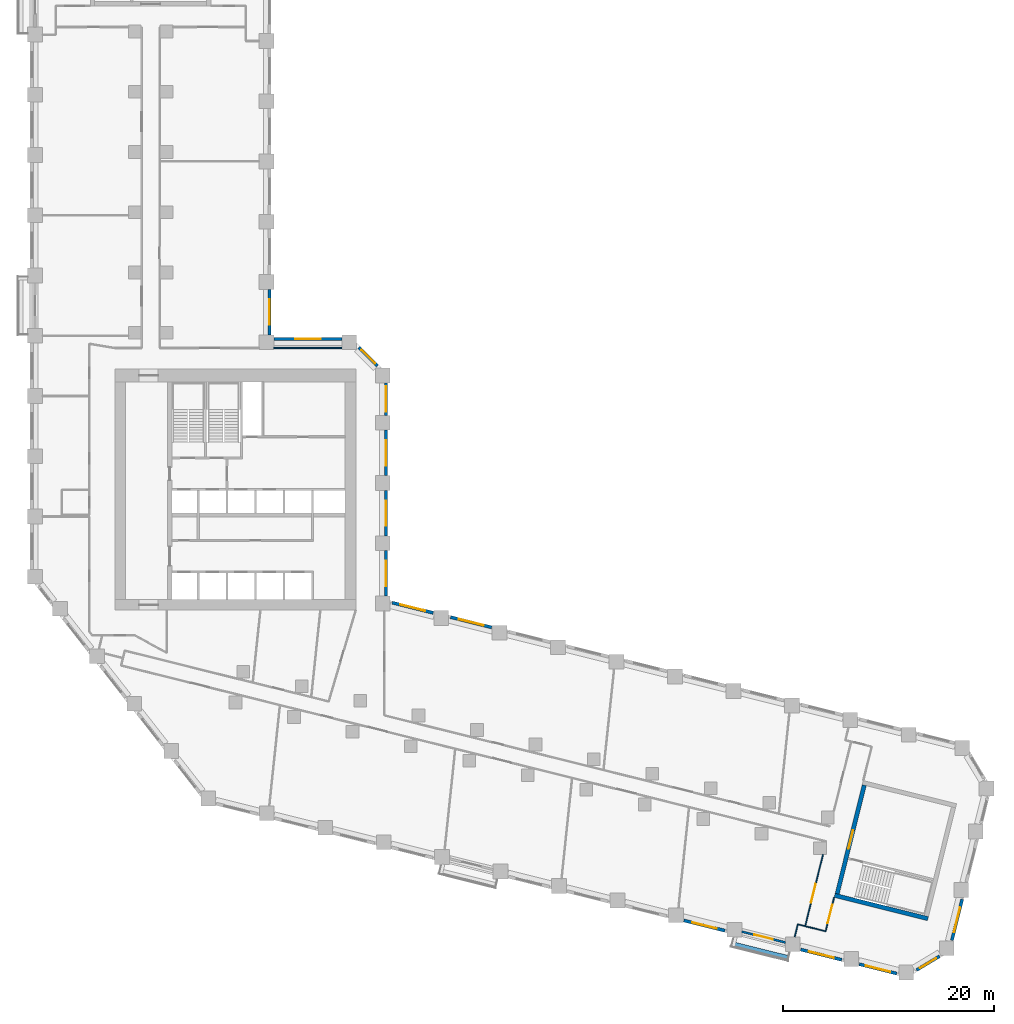
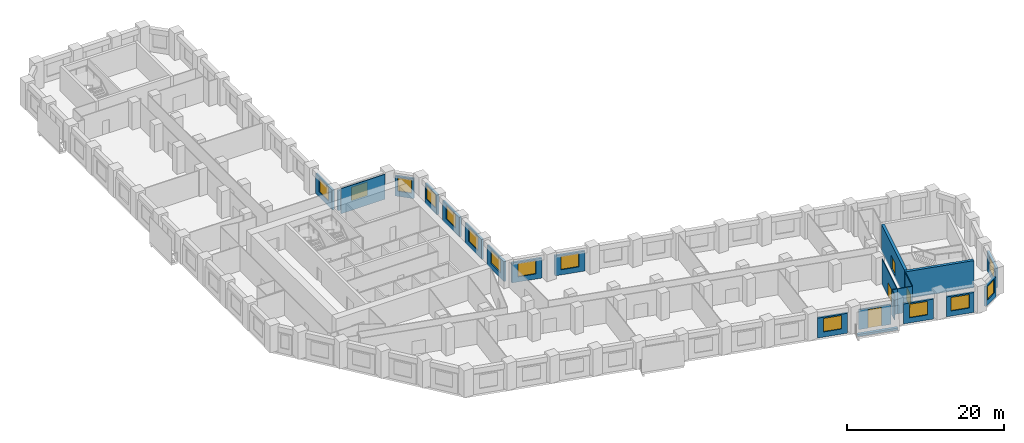
# One storey, part 6 of 11: 24 walls, 14 windows, 4 doors, 18 openings.
"""IFC4 building model written with IfcOpenShell, lengths in metres."""

import ifcopenshell
import ifcopenshell.guid

model = None  # the IFC model being written
_history = None  # IfcOwnerHistory: only IFC2X3 demands one
_inside = {}  # id of a spatial element -> (the spatial element, [elements in it])
_under = {}  # id of a project, library or spatial element -> (it, [spatial elements below it])
_declared = {}  # id of a project -> (the project, [libraries it declares])
_typed = {}  # id of a type object -> (the type object, [elements of that type])
_made_of = {}  # id of a material, layer set ... -> (it, [elements and type objects made of it])


def new_model(schema):
    """Start an empty IFC model of exactly this schema.

    Asked for "IFC4X3", IfcOpenShell would pick the latest addendum, in which some entities
    have other attributes; the version numbers below select the first issue.
    IFC2X3 requires an IfcOwnerHistory on every rooted entity: one is made here for all.
    """
    global model, _history
    if schema == "IFC4X3":
        model = ifcopenshell.file(schema_version=(4, 3, 0, 0))
    else:
        model = ifcopenshell.file(schema=schema)
    _inside.clear()
    _under.clear()
    _declared.clear()
    _typed.clear()
    _made_of.clear()
    _history = None
    if model.schema == "IFC2X3":
        org = make("IfcOrganization", Name="unknown")
        user = make(
            "IfcPersonAndOrganization",
            ThePerson=make("IfcPerson", FamilyName="unknown"),
            TheOrganization=org,
        )
        app = make(
            "IfcApplication",
            ApplicationDeveloper=org,
            Version="unknown",
            ApplicationFullName="unknown",
            ApplicationIdentifier="unknown",
        )
        _history = make(
            "IfcOwnerHistory",
            OwningUser=user,
            OwningApplication=app,
            ChangeAction="ADDED",
            CreationDate=0,
        )
    return model


def make(cls, **values):
    """One entity of the class cls with the attributes given. An attribute that is None is left unset."""
    return model.create_entity(
        cls, **{name: value for name, value in values.items() if value is not None}
    )


def rooted(cls, **values):
    """An entity with a GlobalId (a new one), such as an element, a storey or a relation."""
    return make(cls, GlobalId=ifcopenshell.guid.new(), OwnerHistory=_history, **values)


def si_unit(unit_type, name, prefix=None):
    """IfcSIUnit, for example si_unit("LENGTHUNIT", "METRE", prefix="MILLI")."""
    return make("IfcSIUnit", UnitType=unit_type, Prefix=prefix, Name=name)


def assignment(units):
    """IfcUnitAssignment: the units of a project."""
    return None if units is None else make("IfcUnitAssignment", Units=units)


def point(xyz):
    """IfcCartesianPoint."""
    return None if xyz is None else make("IfcCartesianPoint", Coordinates=xyz)


def direction(xyz):
    """IfcDirection."""
    return None if xyz is None else make("IfcDirection", DirectionRatios=xyz)


def frame(location, z_axis=None, x_axis=None):
    """IfcAxis2Placement3D, a coordinate frame: its origin and axes. An axis left out is left unset."""
    return make(
        "IfcAxis2Placement3D",
        Location=point(location),
        Axis=direction(z_axis),
        RefDirection=direction(x_axis),
    )


def frame_2d(location, x_axis=None):
    """IfcAxis2Placement2D, a coordinate frame in the plane: its origin and x axis."""
    return make(
        "IfcAxis2Placement2D", Location=point(location), RefDirection=direction(x_axis)
    )


def origin():
    """The frame at (0, 0, 0) with its axes left unset."""
    return frame((0.0, 0.0, 0.0))


def place(relative_to, where):
    """IfcLocalPlacement: puts the frame where relative to a parent placement (None: the world)."""
    return make(
        "IfcLocalPlacement", PlacementRelTo=relative_to, RelativePlacement=where
    )


def context(
    kind, dimensions, precision=None, world=None, true_north=None, identifier=None
):
    """IfcGeometricRepresentationContext, for example the 3D "Model" context."""
    return make(
        "IfcGeometricRepresentationContext",
        ContextIdentifier=identifier,
        ContextType=kind,
        CoordinateSpaceDimension=dimensions,
        Precision=precision,
        WorldCoordinateSystem=world,
        TrueNorth=true_north,
    )


def subcontext(parent, identifier, kind, view, scale=None):
    """IfcGeometricRepresentationSubContext, for example "Body" below "Model"."""
    return make(
        "IfcGeometricRepresentationSubContext",
        ContextIdentifier=identifier,
        ContextType=kind,
        ParentContext=parent,
        TargetScale=scale,
        TargetView=view,
    )


def project(units=None, contexts=None):
    """IfcProject with its units and contexts."""
    return rooted(
        "IfcProject",
        Name="project",
        RepresentationContexts=contexts,
        UnitsInContext=assignment(units),
    )


def spatial(cls, under=None, at=None, **own):
    """A site, building, storey or space (cls), placed at a placement, below another one or the project."""
    s = rooted(cls, ObjectPlacement=at, **own)
    if under is not None:
        _under.setdefault(under.id(), (under, []))[1].append(s)
    return s


def profile(cls, at=None, kind="AREA", **sizes):
    """A parametric profile (cls). Its sizes go by their IFC names, for example OverallWidth=200.0."""
    return make(cls, ProfileType=kind, Position=at, **sizes)


def rectangle(**sizes):
    """IfcRectangleProfileDef."""
    return profile("IfcRectangleProfileDef", **sizes)


def extrude(swept, where, along, depth):
    """IfcExtrudedAreaSolid: the profile swept, set in the frame where, extruded along a direction by depth."""
    return make(
        "IfcExtrudedAreaSolid",
        SweptArea=swept,
        Position=where,
        ExtrudedDirection=direction(along),
        Depth=depth,
    )


def shape(context_of_items, identifier, shape_type, items):
    """IfcShapeRepresentation: the items that make up one representation, for example the "Body"."""
    return make(
        "IfcShapeRepresentation",
        ContextOfItems=context_of_items,
        RepresentationIdentifier=identifier,
        RepresentationType=shape_type,
        Items=items,
    )


def material(Name=None, Category=None):
    """IfcMaterial."""
    return make("IfcMaterial", Name=Name, Category=Category)


def layer(
    of_material, thickness, ventilated=None, Name=None, Category=None, Priority=None
):
    """IfcMaterialLayer: one layer of a wall or slab, of a material (None: an air gap)."""
    return make(
        "IfcMaterialLayer",
        Material=of_material,
        LayerThickness=thickness,
        IsVentilated=ventilated,
        Name=Name,
        Category=Category,
        Priority=Priority,
    )


def layer_set(layers, Name=None):
    """IfcMaterialLayerSet."""
    return make("IfcMaterialLayerSet", MaterialLayers=layers, LayerSetName=Name)


def made_of(thing, what):
    """Note that an element or type object is made of a material, layer set ...; save() writes the relation."""
    if what is not None:
        _made_of.setdefault(what.id(), (what, []))[1].append(thing)
    return thing


def type_object(cls, material=None, **own):
    """A type object (cls), such as IfcWallType, which elements share."""
    return made_of(rooted(cls, **own), material)


def element(
    cls,
    number,
    at=None,
    inside=None,
    cuts=None,
    type_object=None,
    material=None,
    context=None,
    identifier="Body",
    shape_type=None,
    held_by="IfcProductDefinitionShape",
    body=None,
    shapes=None,
    **own,
):
    """One element of the class cls, such as IfcWall. Its Tag is "e" and its number.

    at: its placement. inside: the storey or other place that contains it. cuts: it is an
    opening in that element (IfcRelVoidsElement). A single representation is given by context,
    identifier, shape_type and body (its items); several are given by shapes. held_by: the class
    of the entity that holds the representations. save() writes the other relations.
    """
    e = rooted(cls, Tag="e%d" % number, ObjectPlacement=at, **own)
    if body is not None:
        shapes = [shape(context, identifier, shape_type, body)]
    if shapes is not None:
        e.Representation = make(held_by, Representations=shapes)
    if inside is not None:
        _inside.setdefault(inside.id(), (inside, []))[1].append(e)
    if cuts is not None:
        rooted(
            "IfcRelVoidsElement", RelatingBuildingElement=cuts, RelatedOpeningElement=e
        )
    if type_object is not None:
        _typed.setdefault(type_object.id(), (type_object, []))[1].append(e)
    return made_of(e, material)


def fill(opening, filler):
    """IfcRelFillsElement: the door or window that sits in an opening."""
    return rooted(
        "IfcRelFillsElement",
        RelatingOpeningElement=opening,
        RelatedBuildingElement=filler,
    )


def aggregate(whole, parts):
    """IfcRelAggregates: a whole, such as a stair, and the parts it consists of."""
    return rooted("IfcRelAggregates", RelatingObject=whole, RelatedObjects=parts)


def save(model, path):
    """Write the relations noted so far, then the file.

    IfcRelAggregates (storeys below a building ...), IfcRelContainedInSpatialStructure (elements
    in a storey), IfcRelDefinesByType, IfcRelAssociatesMaterial and IfcRelDeclares: one each for
    every whole, place, type object, material and project.
    """
    for whole, parts in _under.values():
        aggregate(whole, parts)
    for where, things in _inside.values():
        rooted(
            "IfcRelContainedInSpatialStructure",
            RelatedElements=things,
            RelatingStructure=where,
        )
    for kind, things in _typed.values():
        rooted("IfcRelDefinesByType", RelatedObjects=things, RelatingType=kind)
    for what, things in _made_of.values():
        rooted("IfcRelAssociatesMaterial", RelatedObjects=things, RelatingMaterial=what)
    for by, libraries in _declared.values():
        rooted("IfcRelDeclares", RelatingContext=by, RelatedDefinitions=libraries)
    model.write(path)


model = new_model("IFC4")

# Units and contexts
model_context = context("Model", 3, precision=1e-05, world=origin(), true_north=direction((0.0, 1.0)))
body_context = subcontext(model_context, "Body", "Model", "MODEL_VIEW")
ifc_project = project(units=[si_unit("LENGTHUNIT", "METRE"), si_unit("AREAUNIT", "SQUARE_METRE"), si_unit("VOLUMEUNIT", "CUBIC_METRE"), si_unit("PLANEANGLEUNIT", "RADIAN"), si_unit("MASSUNIT", "GRAM", prefix="KILO")], contexts=[model_context])

# Site, building, storey
site_placement = place(None, origin())
site = spatial("IfcSite", under=ifc_project, at=site_placement, CompositionType="ELEMENT")
building_placement = place(site_placement, origin())
building = spatial("IfcBuilding", under=site, at=building_placement, Name="Meshkara Civic Tower", CompositionType="ELEMENT")
storey_placement = place(building_placement, frame((0.0, 0.0, 54.0)))
storey = spatial("IfcBuildingStorey", under=building, at=storey_placement, Name="L11", CompositionType="ELEMENT", Elevation=54.0)

# Walls
ifc_material_1 = material(Name="Corridor wall 100")
ifc_layer_1 = layer(ifc_material_1, 0.10009765625)
ifc_layer_set_1 = layer_set([ifc_layer_1], Name="Corridor wall 100")
wall_type_1 = type_object("IfcWallType", Name="Corridor wall 100", PredefinedType="PARTITIONING", material=ifc_layer_set_1)
wall_1_placement = place(storey_placement, frame((29.493896484375, 38.89990234375, 0.0), z_axis=(0.0, 0.0, 1.0), x_axis=(-1.0, 0.0, 0.0)))
element("IfcWall", 1, at=wall_1_placement, inside=storey, type_object=wall_type_1, Name="L11-W021", PredefinedType="PARTITIONING", context=body_context, shape_type="SweptSolid", body=[
    extrude(rectangle(XDim=6.44384765625, YDim=0.10009765625, at=frame_2d((3.221923828125, 0.0))), origin(), (0.0, 0.0, 1.0), 3.89990234375),
])
wall_2_placement = place(storey_placement, frame((73.323974609375, -15.80810546875, 0.0), z_axis=(0.0, 0.0, 1.0), x_axis=(0.970271653322, -0.242018426489, 0.0)))
element("IfcWall", 2, at=wall_2_placement, inside=storey, type_object=wall_type_1, Name="L11-W025", PredefinedType="PARTITIONING", context=body_context, shape_type="SweptSolid", body=[
    extrude(rectangle(XDim=1.999267578125, YDim=0.10009765625, at=frame_2d((0.99951171875, 0.0))), origin(), (0.0, 0.0, 1.0), 3.89990234375),
])

# Wall, opening, door
wall_3_placement = place(storey_placement, frame((75.013916015625, -9.029052734375, 0.0), z_axis=(0.0, 0.0, 1.0), x_axis=(-0.241886013589, -0.970304671961, 0.0)))
wall_3 = element("IfcWall", 3, at=wall_3_placement, inside=storey, type_object=wall_type_1, Name="L11-W026", PredefinedType="PARTITIONING", context=body_context, shape_type="SweptSolid", body=[
    extrude(rectangle(XDim=6.986572265625, YDim=0.10009765625, at=frame_2d((3.4931640625, 0.0))), origin(), (0.0, 0.0, 1.0), 3.89990234375),
])
opening_1_placement = place(wall_3_placement, frame((2.8798828125, 0.0, 0.0)))
opening_1 = element("IfcOpeningElement", 4, at=opening_1_placement, cuts=wall_3, Name="Opening L11-D001", PredefinedType="OPENING", context=body_context, shape_type="SweptSolid", body=[
    extrude(rectangle(XDim=1.800048828125, YDim=2.10009765625, at=frame_2d((0.89990234375, 1.050048828125))), frame((0.0, 0.06005859375, 0.0), z_axis=(0.0, -1.0, 0.0), x_axis=(1.0, 0.0, 0.0)), (0.0, 0.0, 1.0), 0.1201171875),
])
ifc_material_2 = material(Name="Door pair 1800 x 2100")
door_type_1 = type_object("IfcDoorType", Name="Door pair 1800 x 2100", OperationType="SINGLE_SWING_LEFT", PredefinedType="DOOR", material=ifc_material_2)
door_1_placement = place(opening_1_placement, origin())
door_1 = element("IfcDoor", 5, at=door_1_placement, inside=storey, type_object=door_type_1, Name="L11-D001", OperationType="DOUBLE_DOOR_SINGLE_SWING", OverallHeight=2.10009765625, OverallWidth=1.800048828125, PredefinedType="DOOR", context=body_context, shape_type="SweptSolid", body=[
    extrude(rectangle(XDim=1.800048828125, YDim=2.10009765625, at=frame_2d((0.89990234375, 1.050048828125))), frame((0.0, 0.02490234375, 0.0), z_axis=(0.0, -1.0, 0.0), x_axis=(1.0, 0.0, 0.0)), (0.0, 0.0, 1.0), 0.050048828125),
])
fill(opening_1, door_1)

wall_4_placement = place(storey_placement, frame((75.263916015625, -16.2919921875, 0.0), z_axis=(0.0, 0.0, 1.0), x_axis=(0.242135244173, 0.970242507587, 0.0)))
wall_4 = element("IfcWall", 6, at=wall_4_placement, inside=storey, type_object=wall_type_1, Name="L11-W027", PredefinedType="PARTITIONING", context=body_context, shape_type="SweptSolid", body=[
    extrude(rectangle(XDim=3.300048828125, YDim=0.10009765625, at=frame_2d((1.64990234375, 0.0))), origin(), (0.0, 0.0, 1.0), 3.89990234375),
])
opening_2_placement = place(wall_4_placement, frame((0.780029296875, 0.0, 0.0)))
opening_2 = element("IfcOpeningElement", 7, at=opening_2_placement, cuts=wall_4, Name="Opening L11-D002", PredefinedType="OPENING", context=body_context, shape_type="SweptSolid", body=[
    extrude(rectangle(XDim=1.800048828125, YDim=2.10009765625, at=frame_2d((0.89990234375, 1.050048828125))), frame((0.0, 0.06005859375, 0.0), z_axis=(0.0, -1.0, 0.0), x_axis=(1.0, 0.0, 0.0)), (0.0, 0.0, 1.0), 0.1201171875),
])
door_2_placement = place(opening_2_placement, origin())
door_2 = element("IfcDoor", 8, at=door_2_placement, inside=storey, type_object=door_type_1, Name="L11-D002", OperationType="DOUBLE_DOOR_SINGLE_SWING", OverallHeight=2.10009765625, OverallWidth=1.800048828125, PredefinedType="DOOR", context=body_context, shape_type="SweptSolid", body=[
    extrude(rectangle(XDim=1.800048828125, YDim=2.10009765625, at=frame_2d((0.89990234375, 1.050048828125))), frame((0.0, 0.02490234375, 0.0), z_axis=(0.0, -1.0, 0.0), x_axis=(1.0, 0.0, 0.0)), (0.0, 0.0, 1.0), 0.050048828125),
])
fill(opening_2, door_2)

# Wall, opening, window
ifc_material_3 = material(Name="Insulated infill panel with bronze anodised aluminium cladding", Category="aluminium")
ifc_layer_2 = layer(ifc_material_3, 0.300048828125)
ifc_layer_set_2 = layer_set([ifc_layer_2], Name="EXTERNAL INFILL WALL 300")
wall_type_2 = type_object("IfcWallType", Name="EXTERNAL INFILL WALL 300", PredefinedType="SOLIDWALL", material=ifc_layer_set_2)
wall_5_placement = place(storey_placement, frame((43.659912109375, 12.4580078125, 0.0), z_axis=(0.0, 0.0, 1.0), x_axis=(-0.970300202301, 0.241903942538, 0.0)))
wall_5 = element("IfcWall", 9, at=wall_5_placement, inside=storey, type_object=wall_type_2, Name="External wall", PredefinedType="SOLIDWALL", context=body_context, shape_type="SweptSolid", body=[
    extrude(rectangle(XDim=4.001708984375, YDim=0.300048828125, at=frame_2d((2.0009765625, 0.0))), origin(), (0.0, 0.0, 1.0), 3.10009765625),
])
opening_3_placement = place(wall_5_placement, frame((0.801025390625, 0.0, 0.800048828125)))
opening_3 = element("IfcOpeningElement", 10, at=opening_3_placement, cuts=wall_5, Name="Opening W7", PredefinedType="OPENING", context=body_context, shape_type="SweptSolid", body=[
    extrude(rectangle(XDim=2.39990234375, YDim=2.10009765625, at=frame_2d((1.199951171875, 1.050048828125))), frame((0.0, 0.159912109375, 0.0), z_axis=(0.0, -1.0, 0.0), x_axis=(1.0, 0.0, 0.0)), (0.0, 0.0, 1.0), 0.320068359375),
])
ifc_material_4 = material(Name="Tinted double glazing", Category="glass")
window_type_1 = type_object("IfcWindowType", Name="WINDOW 2400x2100", PartitioningType="DOUBLE_PANEL_VERTICAL", PredefinedType="WINDOW", material=ifc_material_4)
window_1_placement = place(opening_3_placement, origin())
window_1 = element("IfcWindow", 11, at=window_1_placement, inside=storey, type_object=window_type_1, Name="Window", OverallHeight=2.10009765625, OverallWidth=2.39990234375, PartitioningType="DOUBLE_PANEL_VERTICAL", PredefinedType="WINDOW", context=body_context, shape_type="SweptSolid", body=[
    extrude(rectangle(XDim=2.39990234375, YDim=2.10009765625, at=frame_2d((1.199951171875, 1.050048828125))), frame((0.0, 0.030029296875, 0.0), z_axis=(0.0, -1.0, 0.0), x_axis=(1.0, 0.0, 0.0)), (0.0, 0.0, 1.0), 0.06005859375),
])
fill(opening_3, window_1)

wall_6_placement = place(storey_placement, frame((38.1298828125, 13.8369140625, 0.0), z_axis=(0.0, 0.0, 1.0), x_axis=(-0.970314477803, 0.241846674911, 0.0)))
wall_6 = element("IfcWall", 12, at=wall_6_placement, inside=storey, type_object=wall_type_2, Name="External wall", PredefinedType="SOLIDWALL", context=body_context, shape_type="SweptSolid", body=[
    extrude(rectangle(XDim=4.002685546875, YDim=0.300048828125, at=frame_2d((2.00146484375, 0.0))), origin(), (0.0, 0.0, 1.0), 3.10009765625),
])
opening_4_placement = place(wall_6_placement, frame((0.802001953125, 0.0, 0.800048828125)))
opening_4 = element("IfcOpeningElement", 13, at=opening_4_placement, cuts=wall_6, Name="Opening W7", PredefinedType="OPENING", context=body_context, shape_type="SweptSolid", body=[
    extrude(rectangle(XDim=2.39990234375, YDim=2.10009765625, at=frame_2d((1.199951171875, 1.050048828125))), frame((0.0, 0.159912109375, 0.0), z_axis=(0.0, -1.0, 0.0), x_axis=(1.0, 0.0, 0.0)), (0.0, 0.0, 1.0), 0.320068359375),
])
window_2_placement = place(opening_4_placement, origin())
window_2 = element("IfcWindow", 14, at=window_2_placement, inside=storey, type_object=window_type_1, Name="Window", OverallHeight=2.10009765625, OverallWidth=2.39990234375, PartitioningType="DOUBLE_PANEL_VERTICAL", PredefinedType="WINDOW", context=body_context, shape_type="SweptSolid", body=[
    extrude(rectangle(XDim=2.39990234375, YDim=2.10009765625, at=frame_2d((1.199951171875, 1.050048828125))), frame((0.0, 0.030029296875, 0.0), z_axis=(0.0, -1.0, 0.0), x_axis=(1.0, 0.0, 0.0)), (0.0, 0.0, 1.0), 0.06005859375),
])
fill(opening_4, window_2)

wall_7_placement = place(storey_placement, frame((33.64990234375, 15.4189453125, 0.0), z_axis=(0.0, 0.0, 1.0), x_axis=(0.0, 1.0, 0.0)))
wall_7 = element("IfcWall", 15, at=wall_7_placement, inside=storey, type_object=wall_type_2, Name="External wall", PredefinedType="SOLIDWALL", context=body_context, shape_type="SweptSolid", body=[
    extrude(rectangle(XDim=4.300048828125, YDim=0.300048828125, at=frame_2d((2.14990234375, 0.0))), origin(), (0.0, 0.0, 1.0), 3.10009765625),
])
opening_5_placement = place(wall_7_placement, frame((0.949951171875, 0.0, 0.800048828125)))
opening_5 = element("IfcOpeningElement", 16, at=opening_5_placement, cuts=wall_7, Name="Opening W7", PredefinedType="OPENING", context=body_context, shape_type="SweptSolid", body=[
    extrude(rectangle(XDim=2.39990234375, YDim=2.10009765625, at=frame_2d((1.199951171875, 1.050048828125))), frame((0.0, 0.159912109375, 0.0), z_axis=(0.0, -1.0, 0.0), x_axis=(1.0, 0.0, 0.0)), (0.0, 0.0, 1.0), 0.320068359375),
])
window_3_placement = place(opening_5_placement, origin())
window_3 = element("IfcWindow", 17, at=window_3_placement, inside=storey, type_object=window_type_1, Name="Window", OverallHeight=2.10009765625, OverallWidth=2.39990234375, PartitioningType="DOUBLE_PANEL_VERTICAL", PredefinedType="WINDOW", context=body_context, shape_type="SweptSolid", body=[
    extrude(rectangle(XDim=2.39990234375, YDim=2.10009765625, at=frame_2d((1.199951171875, 1.050048828125))), frame((0.0, 0.030029296875, 0.0), z_axis=(0.0, -1.0, 0.0), x_axis=(1.0, 0.0, 0.0)), (0.0, 0.0, 1.0), 0.06005859375),
])
fill(opening_5, window_3)

wall_8_placement = place(storey_placement, frame((33.64990234375, 21.118896484375, 0.0), z_axis=(0.0, 0.0, 1.0), x_axis=(0.0, 1.0, 0.0)))
wall_8 = element("IfcWall", 18, at=wall_8_placement, inside=storey, type_object=wall_type_2, Name="External wall", PredefinedType="SOLIDWALL", context=body_context, shape_type="SweptSolid", body=[
    extrude(rectangle(XDim=4.300048828125, YDim=0.300048828125, at=frame_2d((2.14990234375, 0.0))), origin(), (0.0, 0.0, 1.0), 3.10009765625),
])
opening_6_placement = place(wall_8_placement, frame((0.949951171875, 0.0, 0.800048828125)))
opening_6 = element("IfcOpeningElement", 19, at=opening_6_placement, cuts=wall_8, Name="Opening W7", PredefinedType="OPENING", context=body_context, shape_type="SweptSolid", body=[
    extrude(rectangle(XDim=2.39990234375, YDim=2.10009765625, at=frame_2d((1.199951171875, 1.050048828125))), frame((0.0, 0.159912109375, 0.0), z_axis=(0.0, -1.0, 0.0), x_axis=(1.0, 0.0, 0.0)), (0.0, 0.0, 1.0), 0.320068359375),
])
window_4_placement = place(opening_6_placement, origin())
window_4 = element("IfcWindow", 20, at=window_4_placement, inside=storey, type_object=window_type_1, Name="Window", OverallHeight=2.10009765625, OverallWidth=2.39990234375, PartitioningType="DOUBLE_PANEL_VERTICAL", PredefinedType="WINDOW", context=body_context, shape_type="SweptSolid", body=[
    extrude(rectangle(XDim=2.39990234375, YDim=2.10009765625, at=frame_2d((1.199951171875, 1.050048828125))), frame((0.0, 0.030029296875, 0.0), z_axis=(0.0, -1.0, 0.0), x_axis=(1.0, 0.0, 0.0)), (0.0, 0.0, 1.0), 0.06005859375),
])
fill(opening_6, window_4)

wall_9_placement = place(storey_placement, frame((33.64990234375, 26.819091796875, 0.0), z_axis=(0.0, 0.0, 1.0), x_axis=(0.0, 1.0, 0.0)))
wall_9 = element("IfcWall", 21, at=wall_9_placement, inside=storey, type_object=wall_type_2, Name="External wall", PredefinedType="SOLIDWALL", context=body_context, shape_type="SweptSolid", body=[
    extrude(rectangle(XDim=4.2998046875, YDim=0.300048828125, at=frame_2d((2.14990234375, 0.0))), origin(), (0.0, 0.0, 1.0), 3.10009765625),
])
opening_7_placement = place(wall_9_placement, frame((0.949951171875, 0.0, 0.800048828125)))
opening_7 = element("IfcOpeningElement", 22, at=opening_7_placement, cuts=wall_9, Name="Opening W7", PredefinedType="OPENING", context=body_context, shape_type="SweptSolid", body=[
    extrude(rectangle(XDim=2.39990234375, YDim=2.10009765625, at=frame_2d((1.199951171875, 1.050048828125))), frame((0.0, 0.159912109375, 0.0), z_axis=(0.0, -1.0, 0.0), x_axis=(1.0, 0.0, 0.0)), (0.0, 0.0, 1.0), 0.320068359375),
])
window_5_placement = place(opening_7_placement, origin())
window_5 = element("IfcWindow", 23, at=window_5_placement, inside=storey, type_object=window_type_1, Name="Window", OverallHeight=2.10009765625, OverallWidth=2.39990234375, PartitioningType="DOUBLE_PANEL_VERTICAL", PredefinedType="WINDOW", context=body_context, shape_type="SweptSolid", body=[
    extrude(rectangle(XDim=2.39990234375, YDim=2.10009765625, at=frame_2d((1.199951171875, 1.050048828125))), frame((0.0, 0.030029296875, 0.0), z_axis=(0.0, -1.0, 0.0), x_axis=(1.0, 0.0, 0.0)), (0.0, 0.0, 1.0), 0.06005859375),
])
fill(opening_7, window_5)

wall_10_placement = place(storey_placement, frame((33.64990234375, 32.51904296875, 0.0), z_axis=(0.0, 0.0, 1.0), x_axis=(0.0, 1.0, 0.0)))
wall_10 = element("IfcWall", 24, at=wall_10_placement, inside=storey, type_object=wall_type_2, Name="External wall", PredefinedType="SOLIDWALL", context=body_context, shape_type="SweptSolid", body=[
    extrude(rectangle(XDim=3.074951171875, YDim=0.300048828125, at=frame_2d((1.53759765625, 0.0))), origin(), (0.0, 0.0, 1.0), 3.10009765625),
])
opening_8_placement = place(wall_10_placement, frame((0.337890625, 0.0, 0.800048828125)))
opening_8 = element("IfcOpeningElement", 25, at=opening_8_placement, cuts=wall_10, Name="Opening W7", PredefinedType="OPENING", context=body_context, shape_type="SweptSolid", body=[
    extrude(rectangle(XDim=2.39990234375, YDim=2.10009765625, at=frame_2d((1.199951171875, 1.050048828125))), frame((0.0, 0.159912109375, 0.0), z_axis=(0.0, -1.0, 0.0), x_axis=(1.0, 0.0, 0.0)), (0.0, 0.0, 1.0), 0.320068359375),
])
window_6_placement = place(opening_8_placement, origin())
window_6 = element("IfcWindow", 26, at=window_6_placement, inside=storey, type_object=window_type_1, Name="Window", OverallHeight=2.10009765625, OverallWidth=2.39990234375, PartitioningType="DOUBLE_PANEL_VERTICAL", PredefinedType="WINDOW", context=body_context, shape_type="SweptSolid", body=[
    extrude(rectangle(XDim=2.39990234375, YDim=2.10009765625, at=frame_2d((1.199951171875, 1.050048828125))), frame((0.0, 0.030029296875, 0.0), z_axis=(0.0, -1.0, 0.0), x_axis=(1.0, 0.0, 0.0)), (0.0, 0.0, 1.0), 0.06005859375),
])
fill(opening_8, window_6)

wall_11_placement = place(storey_placement, frame((32.862060546875, 37.2060546875, 0.0), z_axis=(0.0, 0.0, 1.0), x_axis=(-0.707155935319, 0.707057623637, 0.0)))
wall_11 = element("IfcWall", 27, at=wall_11_placement, inside=storey, type_object=wall_type_2, Name="External wall", PredefinedType="SOLIDWALL", context=body_context, shape_type="SweptSolid", body=[
    extrude(rectangle(XDim=2.4833984375, YDim=0.300048828125, at=frame_2d((1.24169921875, 0.0))), origin(), (0.0, 0.0, 1.0), 3.10009765625),
])
opening_9_placement = place(wall_11_placement, frame((0.342041015625, 0.0, 0.800048828125)))
opening_9 = element("IfcOpeningElement", 28, at=opening_9_placement, cuts=wall_11, Name="Opening W9", PredefinedType="OPENING", context=body_context, shape_type="SweptSolid", body=[
    extrude(rectangle(XDim=1.800048828125, YDim=2.10009765625, at=frame_2d((0.89990234375, 1.050048828125))), frame((0.0, 0.159912109375, 0.0), z_axis=(0.0, -1.0, 0.0), x_axis=(1.0, 0.0, 0.0)), (0.0, 0.0, 1.0), 0.320068359375),
])
ifc_material_5 = material(Name="Tinted double glazing", Category="glass")
window_type_2 = type_object("IfcWindowType", Name="WINDOW 1800x2100", PartitioningType="DOUBLE_PANEL_VERTICAL", PredefinedType="WINDOW", material=ifc_material_5)
window_7_placement = place(opening_9_placement, origin())
window_7 = element("IfcWindow", 29, at=window_7_placement, inside=storey, type_object=window_type_2, Name="Window", OverallHeight=2.10009765625, OverallWidth=1.800048828125, PartitioningType="DOUBLE_PANEL_VERTICAL", PredefinedType="WINDOW", context=body_context, shape_type="SweptSolid", body=[
    extrude(rectangle(XDim=1.800048828125, YDim=2.10009765625, at=frame_2d((0.89990234375, 1.050048828125))), frame((0.0, 0.030029296875, 0.0), z_axis=(0.0, -1.0, 0.0), x_axis=(1.0, 0.0, 0.0)), (0.0, 0.0, 1.0), 0.06005859375),
])
fill(opening_9, window_7)

wall_12_placement = place(storey_placement, frame((29.493896484375, 39.75, 0.0), z_axis=(0.0, 0.0, 1.0), x_axis=(-1.0, 0.0, 0.0)))
wall_12 = element("IfcWall", 30, at=wall_12_placement, inside=storey, type_object=wall_type_2, Name="External wall", PredefinedType="SOLIDWALL", context=body_context, shape_type="SweptSolid", body=[
    extrude(rectangle(XDim=6.44384765625, YDim=0.300048828125, at=frame_2d((3.221923828125, 0.0))), origin(), (0.0, 0.0, 1.0), 3.10009765625),
])
opening_10_placement = place(wall_12_placement, frame((2.02197265625, 0.0, 0.800048828125)))
opening_10 = element("IfcOpeningElement", 31, at=opening_10_placement, cuts=wall_12, Name="Opening W7", PredefinedType="OPENING", context=body_context, shape_type="SweptSolid", body=[
    extrude(rectangle(XDim=2.39990234375, YDim=2.10009765625, at=frame_2d((1.199951171875, 1.050048828125))), frame((0.0, 0.159912109375, 0.0), z_axis=(0.0, -1.0, 0.0), x_axis=(1.0, 0.0, 0.0)), (0.0, 0.0, 1.0), 0.320068359375),
])
window_8_placement = place(opening_10_placement, origin())
window_8 = element("IfcWindow", 32, at=window_8_placement, inside=storey, type_object=window_type_1, Name="Window", OverallHeight=2.10009765625, OverallWidth=2.39990234375, PartitioningType="DOUBLE_PANEL_VERTICAL", PredefinedType="WINDOW", context=body_context, shape_type="SweptSolid", body=[
    extrude(rectangle(XDim=2.39990234375, YDim=2.10009765625, at=frame_2d((1.199951171875, 1.050048828125))), frame((0.0, 0.030029296875, 0.0), z_axis=(0.0, -1.0, 0.0), x_axis=(1.0, 0.0, 0.0)), (0.0, 0.0, 1.0), 0.06005859375),
])
fill(opening_10, window_8)

wall_13_placement = place(storey_placement, frame((22.64990234375, 40.14990234375, 0.0), z_axis=(0.0, 0.0, 1.0), x_axis=(0.0, 1.0, 0.0)))
wall_13 = element("IfcWall", 33, at=wall_13_placement, inside=storey, type_object=wall_type_2, Name="External wall", PredefinedType="SOLIDWALL", context=body_context, shape_type="SweptSolid", body=[
    extrude(rectangle(XDim=4.300048828125, YDim=0.300048828125, at=frame_2d((2.14990234375, 0.0))), origin(), (0.0, 0.0, 1.0), 3.10009765625),
])
opening_11_placement = place(wall_13_placement, frame((0.949951171875, 0.0, 0.800048828125)))
opening_11 = element("IfcOpeningElement", 34, at=opening_11_placement, cuts=wall_13, Name="Opening W7", PredefinedType="OPENING", context=body_context, shape_type="SweptSolid", body=[
    extrude(rectangle(XDim=2.39990234375, YDim=2.10009765625, at=frame_2d((1.199951171875, 1.050048828125))), frame((0.0, 0.159912109375, 0.0), z_axis=(0.0, -1.0, 0.0), x_axis=(1.0, 0.0, 0.0)), (0.0, 0.0, 1.0), 0.320068359375),
])
window_9_placement = place(opening_11_placement, origin())
window_9 = element("IfcWindow", 35, at=window_9_placement, inside=storey, type_object=window_type_1, Name="Window", OverallHeight=2.10009765625, OverallWidth=2.39990234375, PartitioningType="DOUBLE_PANEL_VERTICAL", PredefinedType="WINDOW", context=body_context, shape_type="SweptSolid", body=[
    extrude(rectangle(XDim=2.39990234375, YDim=2.10009765625, at=frame_2d((1.199951171875, 1.050048828125))), frame((0.0, 0.030029296875, 0.0), z_axis=(0.0, -1.0, 0.0), x_axis=(1.0, 0.0, 0.0)), (0.0, 0.0, 1.0), 0.06005859375),
])
fill(opening_11, window_9)

wall_14_placement = place(storey_placement, frame((61.847900390625, -15.26611328125, 0.0), z_axis=(0.0, 0.0, 1.0), x_axis=(0.970318089187, -0.241832185196, 0.0)))
wall_14 = element("IfcWall", 36, at=wall_14_placement, inside=storey, type_object=wall_type_2, Name="External wall", PredefinedType="SOLIDWALL", context=body_context, shape_type="SweptSolid", body=[
    extrude(rectangle(XDim=4.001953125, YDim=0.300048828125, at=frame_2d((2.0009765625, 0.0))), origin(), (0.0, 0.0, 1.0), 3.10009765625),
])
opening_12_placement = place(wall_14_placement, frame((0.801025390625, 0.0, 0.800048828125)))
opening_12 = element("IfcOpeningElement", 37, at=opening_12_placement, cuts=wall_14, Name="Opening W7", PredefinedType="OPENING", context=body_context, shape_type="SweptSolid", body=[
    extrude(rectangle(XDim=2.39990234375, YDim=2.10009765625, at=frame_2d((1.199951171875, 1.050048828125))), frame((0.0, 0.159912109375, 0.0), z_axis=(0.0, -1.0, 0.0), x_axis=(1.0, 0.0, 0.0)), (0.0, 0.0, 1.0), 0.320068359375),
])
window_10_placement = place(opening_12_placement, origin())
window_10 = element("IfcWindow", 38, at=window_10_placement, inside=storey, type_object=window_type_1, Name="Window", OverallHeight=2.10009765625, OverallWidth=2.39990234375, PartitioningType="DOUBLE_PANEL_VERTICAL", PredefinedType="WINDOW", context=body_context, shape_type="SweptSolid", body=[
    extrude(rectangle(XDim=2.39990234375, YDim=2.10009765625, at=frame_2d((1.199951171875, 1.050048828125))), frame((0.0, 0.030029296875, 0.0), z_axis=(0.0, -1.0, 0.0), x_axis=(1.0, 0.0, 0.0)), (0.0, 0.0, 1.0), 0.06005859375),
])
fill(opening_12, window_10)

wall_15_placement = place(storey_placement, frame((72.908935546875, -18.02294921875, 0.0), z_axis=(0.0, 0.0, 1.0), x_axis=(0.970260773365, -0.242062040951, 0.0)))
wall_15 = element("IfcWall", 39, at=wall_15_placement, inside=storey, type_object=wall_type_2, Name="External wall", PredefinedType="SOLIDWALL", context=body_context, shape_type="SweptSolid", body=[
    extrude(rectangle(XDim=4.003173828125, YDim=0.300048828125, at=frame_2d((2.00146484375, 0.0))), origin(), (0.0, 0.0, 1.0), 3.10009765625),
])
opening_13_placement = place(wall_15_placement, frame((0.802001953125, 0.0, 0.800048828125)))
opening_13 = element("IfcOpeningElement", 40, at=opening_13_placement, cuts=wall_15, Name="Opening W7", PredefinedType="OPENING", context=body_context, shape_type="SweptSolid", body=[
    extrude(rectangle(XDim=2.39990234375, YDim=2.10009765625, at=frame_2d((1.199951171875, 1.050048828125))), frame((0.0, 0.159912109375, 0.0), z_axis=(0.0, -1.0, 0.0), x_axis=(1.0, 0.0, 0.0)), (0.0, 0.0, 1.0), 0.320068359375),
])
window_11_placement = place(opening_13_placement, origin())
window_11 = element("IfcWindow", 41, at=window_11_placement, inside=storey, type_object=window_type_1, Name="Window", OverallHeight=2.10009765625, OverallWidth=2.39990234375, PartitioningType="DOUBLE_PANEL_VERTICAL", PredefinedType="WINDOW", context=body_context, shape_type="SweptSolid", body=[
    extrude(rectangle(XDim=2.39990234375, YDim=2.10009765625, at=frame_2d((1.199951171875, 1.050048828125))), frame((0.0, 0.030029296875, 0.0), z_axis=(0.0, -1.0, 0.0), x_axis=(1.0, 0.0, 0.0)), (0.0, 0.0, 1.0), 0.06005859375),
])
fill(opening_13, window_11)

wall_16_placement = place(storey_placement, frame((78.43994140625, -19.402099609375, 0.0), z_axis=(0.0, 0.0, 1.0), x_axis=(0.970271818873, -0.24201776278, 0.0)))
wall_16 = element("IfcWall", 42, at=wall_16_placement, inside=storey, type_object=wall_type_2, Name="External wall", PredefinedType="SOLIDWALL", context=body_context, shape_type="SweptSolid", body=[
    extrude(rectangle(XDim=3.660888671875, YDim=0.300048828125, at=frame_2d((1.83056640625, 0.0))), origin(), (0.0, 0.0, 1.0), 3.10009765625),
])
opening_14_placement = place(wall_16_placement, frame((0.6298828125, 0.0, 0.800048828125)))
opening_14 = element("IfcOpeningElement", 43, at=opening_14_placement, cuts=wall_16, Name="Opening W7", PredefinedType="OPENING", context=body_context, shape_type="SweptSolid", body=[
    extrude(rectangle(XDim=2.39990234375, YDim=2.10009765625, at=frame_2d((1.199951171875, 1.050048828125))), frame((0.0, 0.159912109375, 0.0), z_axis=(0.0, -1.0, 0.0), x_axis=(1.0, 0.0, 0.0)), (0.0, 0.0, 1.0), 0.320068359375),
])
window_12_placement = place(opening_14_placement, origin())
window_12 = element("IfcWindow", 44, at=window_12_placement, inside=storey, type_object=window_type_1, Name="Window", OverallHeight=2.10009765625, OverallWidth=2.39990234375, PartitioningType="DOUBLE_PANEL_VERTICAL", PredefinedType="WINDOW", context=body_context, shape_type="SweptSolid", body=[
    extrude(rectangle(XDim=2.39990234375, YDim=2.10009765625, at=frame_2d((1.199951171875, 1.050048828125))), frame((0.0, 0.030029296875, 0.0), z_axis=(0.0, -1.0, 0.0), x_axis=(1.0, 0.0, 0.0)), (0.0, 0.0, 1.0), 0.06005859375),
])
fill(opening_14, window_12)

wall_17_placement = place(storey_placement, frame((83.865966796875, -19.965087890625, 0.0), z_axis=(0.0, 0.0, 1.0), x_axis=(0.857026568426, 0.515272220299, 0.0)))
wall_17 = element("IfcWall", 45, at=wall_17_placement, inside=storey, type_object=wall_type_2, Name="External wall", PredefinedType="SOLIDWALL", context=body_context, shape_type="SweptSolid", body=[
    extrude(rectangle(XDim=2.54248046875, YDim=0.300048828125, at=frame_2d((1.271240234375, 0.0))), origin(), (0.0, 0.0, 1.0), 3.10009765625),
])
opening_15_placement = place(wall_17_placement, frame((0.37109375, 0.0, 0.800048828125)))
opening_15 = element("IfcOpeningElement", 46, at=opening_15_placement, cuts=wall_17, Name="Opening W9", PredefinedType="OPENING", context=body_context, shape_type="SweptSolid", body=[
    extrude(rectangle(XDim=1.800048828125, YDim=2.10009765625, at=frame_2d((0.89990234375, 1.050048828125))), frame((0.0, 0.159912109375, 0.0), z_axis=(0.0, -1.0, 0.0), x_axis=(1.0, 0.0, 0.0)), (0.0, 0.0, 1.0), 0.320068359375),
])
window_13_placement = place(opening_15_placement, origin())
window_13 = element("IfcWindow", 47, at=window_13_placement, inside=storey, type_object=window_type_2, Name="Window", OverallHeight=2.10009765625, OverallWidth=1.800048828125, PartitioningType="DOUBLE_PANEL_VERTICAL", PredefinedType="WINDOW", context=body_context, shape_type="SweptSolid", body=[
    extrude(rectangle(XDim=1.800048828125, YDim=2.10009765625, at=frame_2d((0.89990234375, 1.050048828125))), frame((0.0, 0.030029296875, 0.0), z_axis=(0.0, -1.0, 0.0), x_axis=(1.0, 0.0, 0.0)), (0.0, 0.0, 1.0), 0.06005859375),
])
fill(opening_15, window_13)

wall_18_placement = place(storey_placement, frame((87.2109375, -17.152099609375, 0.0), z_axis=(0.0, 0.0, 1.0), x_axis=(0.24183236211, 0.970318045095, 0.0)))
wall_18 = element("IfcWall", 48, at=wall_18_placement, inside=storey, type_object=wall_type_2, Name="External wall", PredefinedType="SOLIDWALL", context=body_context, shape_type="SweptSolid", body=[
    extrude(rectangle(XDim=4.0029296875, YDim=0.300048828125, at=frame_2d((2.00146484375, 0.0))), origin(), (0.0, 0.0, 1.0), 3.10009765625),
])
opening_16_placement = place(wall_18_placement, frame((0.802001953125, 0.0, 0.800048828125)))
opening_16 = element("IfcOpeningElement", 49, at=opening_16_placement, cuts=wall_18, Name="Opening W7", PredefinedType="OPENING", context=body_context, shape_type="SweptSolid", body=[
    extrude(rectangle(XDim=2.39990234375, YDim=2.10009765625, at=frame_2d((1.199951171875, 1.050048828125))), frame((0.0, 0.159912109375, 0.0), z_axis=(0.0, -1.0, 0.0), x_axis=(1.0, 0.0, 0.0)), (0.0, 0.0, 1.0), 0.320068359375),
])
window_14_placement = place(opening_16_placement, origin())
window_14 = element("IfcWindow", 50, at=window_14_placement, inside=storey, type_object=window_type_1, Name="Window", OverallHeight=2.10009765625, OverallWidth=2.39990234375, PartitioningType="DOUBLE_PANEL_VERTICAL", PredefinedType="WINDOW", context=body_context, shape_type="SweptSolid", body=[
    extrude(rectangle(XDim=2.39990234375, YDim=2.10009765625, at=frame_2d((1.199951171875, 1.050048828125))), frame((0.0, 0.030029296875, 0.0), z_axis=(0.0, -1.0, 0.0), x_axis=(1.0, 0.0, 0.0)), (0.0, 0.0, 1.0), 0.06005859375),
])
fill(opening_16, window_14)

# Wall
ifc_material_6 = material(Name="Concrete C80", Category="concrete")
ifc_layer_3 = layer(ifc_material_6, 0.39990234375)
ifc_layer_set_3 = layer_set([ifc_layer_3], Name="End core ring wall 400 C80")
wall_type_3 = type_object("IfcWallType", Name="End core ring wall 400 C80", PredefinedType="SHEAR", material=ifc_layer_set_3)
wall_19_placement = place(storey_placement, frame((76.111083984375, -12.89599609375, -0.300048828125), z_axis=(0.0, 0.0, 1.0), x_axis=(0.970311127573, -0.241860115992, 0.0)))
element("IfcWall", 51, at=wall_19_placement, inside=storey, type_object=wall_type_3, Name="L11-C030", PredefinedType="SHEAR", context=body_context, shape_type="SweptSolid", body=[
    extrude(rectangle(XDim=9.10009765625, YDim=0.39990234375, at=frame_2d((4.550048828125, 0.0))), origin(), (0.0, 0.0, 1.0), 4.199951171875),
])

# Wall, opening, door
wall_20_placement = place(storey_placement, frame((76.35302734375, -12.75, -0.300048828125), z_axis=(0.0, 0.0, 1.0), x_axis=(0.241977390218, 0.970281888228, 0.0)))
wall_20 = element("IfcWall", 52, at=wall_20_placement, inside=storey, type_object=wall_type_3, Name="L11-C032", PredefinedType="SHEAR", context=body_context, shape_type="SweptSolid", body=[
    extrude(rectangle(XDim=10.599853515625, YDim=0.39990234375, at=frame_2d((5.2998046875, 0.0))), origin(), (0.0, 0.0, 1.0), 4.199951171875),
])
opening_17_placement = place(wall_20_placement, frame((4.39990234375, 0.0, 0.300048828125)))
opening_17 = element("IfcOpeningElement", 53, at=opening_17_placement, cuts=wall_20, Name="Opening L11-K202", PredefinedType="OPENING", context=body_context, shape_type="SweptSolid", body=[
    extrude(rectangle(XDim=1.800048828125, YDim=2.10009765625, at=frame_2d((0.89990234375, 1.050048828125))), frame((0.0, 0.2099609375, 0.0), z_axis=(0.0, -1.0, 0.0), x_axis=(1.0, 0.0, 0.0)), (0.0, 0.0, 1.0), 0.419921875),
])
ifc_material_7 = material(Name="Fire-rated door leaf in steel frame", Category="steel")
door_type_2 = type_object("IfcDoorType", Name="Core double door 1800 EI 60", OperationType="DOUBLE_DOOR_SINGLE_SWING", PredefinedType="DOOR", material=ifc_material_7)
door_3_placement = place(opening_17_placement, origin())
door_3 = element("IfcDoor", 54, at=door_3_placement, inside=storey, type_object=door_type_2, Name="L11-K202", OperationType="DOUBLE_DOOR_SINGLE_SWING", OverallHeight=2.10009765625, OverallWidth=1.800048828125, PredefinedType="DOOR", context=body_context, shape_type="SweptSolid", body=[
    extrude(rectangle(XDim=1.800048828125, YDim=2.10009765625, at=frame_2d((0.89990234375, 1.050048828125))), frame((0.0, 0.02490234375, 0.0), z_axis=(0.0, -1.0, 0.0), x_axis=(1.0, 0.0, 0.0)), (0.0, 0.0, 1.0), 0.050048828125),
])
fill(opening_17, door_3)

ifc_material_8 = material(Name="Insulated infill panel with bronze anodised aluminium cladding", Category="aluminium")
ifc_layer_4 = layer(ifc_material_8, 0.199951171875)
ifc_layer_set_4 = layer_set([ifc_layer_4], Name="LOGGIA BACK WALL 200")
wall_type_4 = type_object("IfcWallType", Name="LOGGIA BACK WALL 200", PredefinedType="SOLIDWALL", material=ifc_layer_set_4)
wall_21_placement = place(storey_placement, frame((67.326904296875, -16.322998046875, 0.0), z_axis=(0.0, 0.0, 1.0), x_axis=(0.970347921137, -0.241712457159, 0.0)))
wall_21 = element("IfcWall", 55, at=wall_21_placement, inside=storey, type_object=wall_type_4, Name="Loggia wall", PredefinedType="SOLIDWALL", context=body_context, shape_type="SweptSolid", body=[
    extrude(rectangle(XDim=4.25732421875, YDim=0.199951171875, at=frame_2d((2.128662109375, 0.0))), origin(), (0.0, 0.0, 1.0), 3.10009765625),
])
opening_18_placement = place(wall_21_placement, frame((1.22802734375, 0.0, 0.0)))
opening_18 = element("IfcOpeningElement", 56, at=opening_18_placement, cuts=wall_21, Name="Opening L11-L004", PredefinedType="OPENING", context=body_context, shape_type="SweptSolid", body=[
    extrude(rectangle(XDim=1.800048828125, YDim=2.89990234375, at=frame_2d((0.89990234375, 1.449951171875))), frame((0.0, 0.10986328125, 0.0), z_axis=(0.0, -1.0, 0.0), x_axis=(1.0, 0.0, 0.0)), (0.0, 0.0, 1.0), 0.219970703125),
])
ifc_material_9 = material(Name="Tinted double glazing", Category="glass")
door_type_3 = type_object("IfcDoorType", Name="LOGGIA DOOR 1800x2900", OperationType="DOUBLE_DOOR_SINGLE_SWING", PredefinedType="DOOR", material=ifc_material_9)
door_4_placement = place(opening_18_placement, origin())
door_4 = element("IfcDoor", 57, at=door_4_placement, inside=storey, type_object=door_type_3, Name="L11-L004", OperationType="DOUBLE_DOOR_SINGLE_SWING", OverallHeight=2.89990234375, OverallWidth=1.800048828125, PredefinedType="DOOR", context=body_context, shape_type="SweptSolid", body=[
    extrude(rectangle(XDim=1.800048828125, YDim=2.89990234375, at=frame_2d((0.89990234375, 1.449951171875))), frame((0.0, 0.02490234375, 0.0), z_axis=(0.0, -1.0, 0.0), x_axis=(1.0, 0.0, 0.0)), (0.0, 0.0, 1.0), 0.050048828125),
])
fill(opening_18, door_4)

# Walls
ifc_material_10 = material(Name="Concrete C40", Category="concrete")
ifc_layer_5 = layer(ifc_material_10, 0.39990234375)
ifc_layer_set_5 = layer_set([ifc_layer_5], Name="PLANTER TRAY")
wall_type_5 = type_object("IfcWallType", Name="PLANTER TRAY", PredefinedType="SOLIDWALL", material=ifc_layer_set_5)
wall_22_placement = place(storey_placement, frame((66.469970703125, -17.47998046875, 0.0), z_axis=(0.0, 0.0, 1.0), x_axis=(0.97033243619, -0.241774612557, 0.0)))
element("IfcWall", 58, at=wall_22_placement, inside=storey, type_object=wall_type_5, Name="Planter", PredefinedType="SOLIDWALL", context=body_context, shape_type="SweptSolid", body=[
    extrude(rectangle(XDim=5.35986328125, YDim=0.39990234375, at=frame_2d((2.679931640625, 0.0))), origin(), (0.0, 0.0, 1.0), 0.300048828125),
])
ifc_material_11 = material(Name="Partition 100")
ifc_layer_6 = layer(ifc_material_11, 0.10009765625)
ifc_layer_set_6 = layer_set([ifc_layer_6], Name="Partition 100")
wall_type_6 = type_object("IfcWallType", Name="Partition 100", PredefinedType="PARTITIONING", material=ifc_layer_set_6)
wall_23_placement = place(storey_placement, frame((72.3330078125, -16.826904296875, 0.0), z_axis=(0.0, 0.0, 1.0), x_axis=(0.241693721233, 0.97035258804, 0.0)))
element("IfcWall", 59, at=wall_23_placement, inside=storey, type_object=wall_type_6, Name="L11-W053", PredefinedType="PARTITIONING", context=body_context, shape_type="SweptSolid", body=[
    extrude(rectangle(XDim=1.228271484375, YDim=0.10009765625, at=frame_2d((0.6142578125, 0.0))), origin(), (0.0, 0.0, 1.0), 3.89990234375),
])
wall_24_placement = place(storey_placement, frame((72.6298828125, -15.635009765625, 0.0), z_axis=(0.0, 0.0, 1.0), x_axis=(0.970282083048, -0.241976609029, 0.0)))
element("IfcWall", 60, at=wall_24_placement, inside=storey, type_object=wall_type_6, Name="L11-W054", PredefinedType="PARTITIONING", context=body_context, shape_type="SweptSolid", body=[
    extrude(rectangle(XDim=0.719482421875, YDim=0.10009765625, at=frame_2d((0.35986328125, 0.0))), origin(), (0.0, 0.0, 1.0), 3.89990234375),
])

save(model, "model.ifc")
